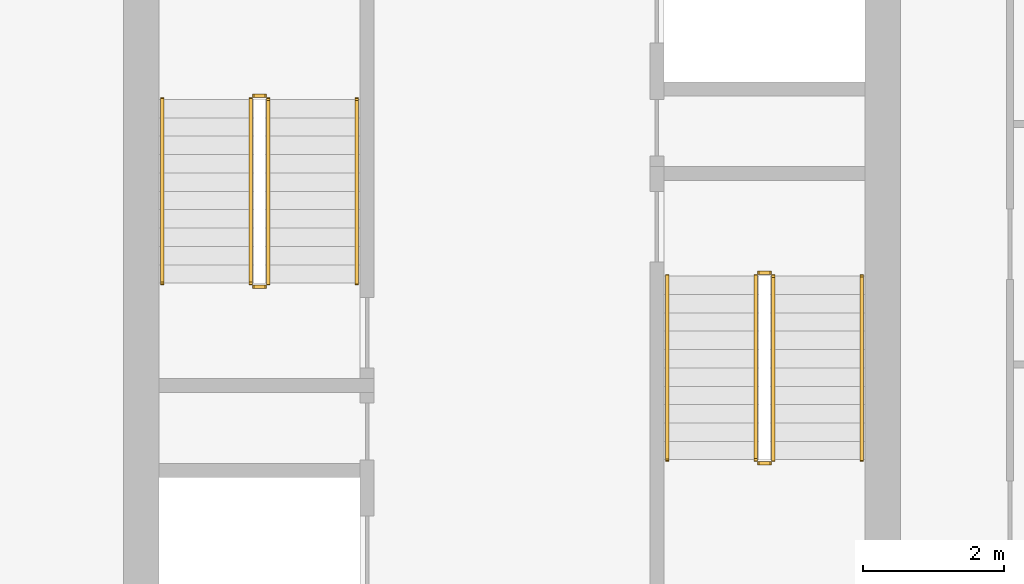
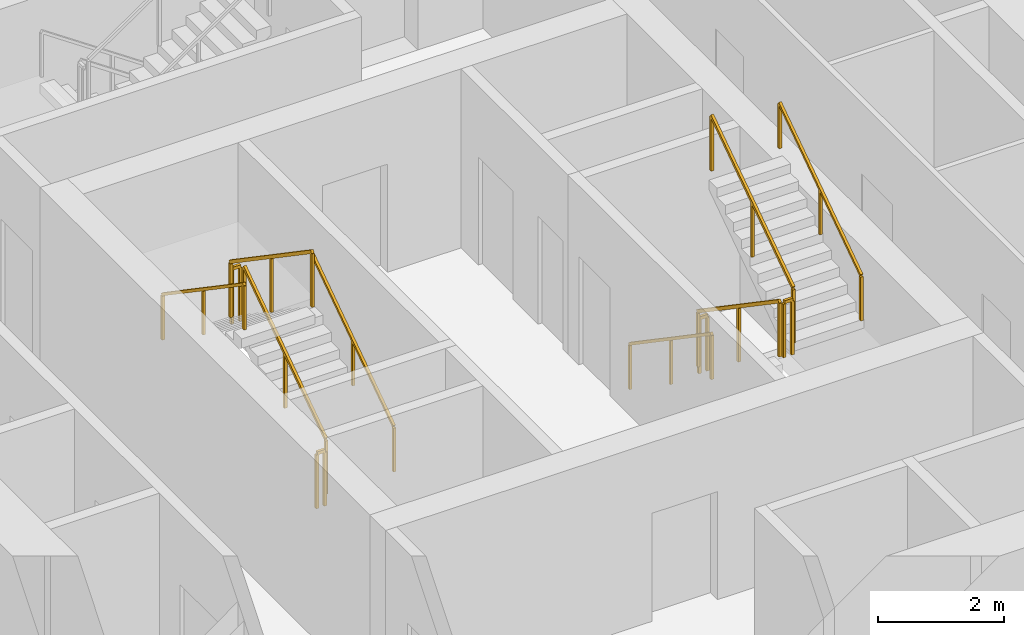
# One storey, part 13 of 16: 12 railings.
"""IFC4 building model written with IfcOpenShell, lengths in metres."""

from ifc_helpers import new_model, si_unit, direction, frame, origin, origin_2d, place, context, subcontext, project, spatial, rectangle, extrude, material, type_object, element, save


model = new_model("IFC4")

# Units and contexts
model_context = context("Model", 3, precision=1e-05, world=origin(), true_north=direction((0.0, 1.0)))
body_context = subcontext(model_context, "Body", "Model", "MODEL_VIEW")
ifc_project = project(units=[si_unit("LENGTHUNIT", "METRE"), si_unit("AREAUNIT", "SQUARE_METRE"), si_unit("VOLUMEUNIT", "CUBIC_METRE"), si_unit("PLANEANGLEUNIT", "RADIAN"), si_unit("MASSUNIT", "GRAM", prefix="KILO")], contexts=[model_context])

# Site, building, storey
site_placement = place(None, origin())
site = spatial("IfcSite", under=ifc_project, at=site_placement, CompositionType="ELEMENT")
building_placement = place(site_placement, origin())
building = spatial("IfcBuilding", under=site, at=building_placement, Name="Khepri Terraces", CompositionType="ELEMENT")
storey_placement = place(building_placement, frame((0.0, 0.0, 79.199951171875)))
storey = spatial("IfcBuildingStorey", under=building, at=storey_placement, Name="L18", CompositionType="ELEMENT", Elevation=79.199951171875)

# Railings
ifc_material = material(Name="Stainless steel 316", Category="steel")
railing_type_1 = type_object("IfcRailingType", Name="RL-CORE-GUARD", PredefinedType="GUARDRAIL", material=ifc_material)
railing_1_placement = place(storey_placement, frame((-3.449951171875, -0.050048828125, 0.17724609375)))
element("IfcRailing", 1, at=railing_1_placement, inside=storey, type_object=railing_type_1, Name="L18 ST-1 stair guard 1", PredefinedType="GUARDRAIL", context=body_context, shape_type="SweptSolid", body=[
    extrude(rectangle(XDim=0.050048828125, YDim=0.06005859375, at=origin_2d()), frame((0.0, 0.0, 1.070068359375), z_axis=(0.0, 0.826240473404, 0.563317565952), x_axis=(-1.0, 0.0, 0.0)), (0.0, 0.0, 1.0), 3.14697265625),
    extrude(rectangle(XDim=0.050048828125, YDim=0.050048828125, at=origin_2d()), origin(), (0.0, 0.0, 1.0), 1.0400390625),
    extrude(rectangle(XDim=0.050048828125, YDim=0.050048828125, at=origin_2d()), frame((0.0, 1.300048828125, 0.88623046875)), (0.0, 0.0, 1.0), 1.0400390625),
    extrude(rectangle(XDim=0.050048828125, YDim=0.050048828125, at=origin_2d()), frame((0.0, 2.60009765625, 1.772705078125)), (0.0, 0.0, 1.0), 1.0400390625),
])
railing_2_placement = place(storey_placement, frame((-3.5, 2.60009765625, 1.949951171875)))
element("IfcRailing", 2, at=railing_2_placement, inside=storey, type_object=railing_type_1, Name="L18 ST-1 stair guard 2", PredefinedType="GUARDRAIL", context=body_context, shape_type="SweptSolid", body=[
    extrude(rectangle(XDim=0.050048828125, YDim=0.06005859375, at=origin_2d()), frame((0.0, 0.0, 1.070068359375), z_axis=(-1.0, 0.0, 0.0), x_axis=(0.0, -1.0, 0.0)), (0.0, 0.0, 1.0), 0.14990234375),
    extrude(rectangle(XDim=0.050048828125, YDim=0.050048828125, at=origin_2d()), origin(), (0.0, 0.0, 1.0), 1.0400390625),
    extrude(rectangle(XDim=0.050048828125, YDim=0.050048828125, at=origin_2d()), frame((-0.14990234375, 0.0, 0.0)), (0.0, 0.0, 1.0), 1.0400390625),
])
railing_3_placement = place(storey_placement, frame((-3.699951171875, 2.550048828125, 2.12744140625)))
element("IfcRailing", 3, at=railing_3_placement, inside=storey, type_object=railing_type_1, Name="L18 ST-1 stair guard 3", PredefinedType="GUARDRAIL", context=body_context, shape_type="SweptSolid", body=[
    extrude(rectangle(XDim=0.050048828125, YDim=0.06005859375, at=origin_2d()), frame((0.0, 0.0, 1.070068359375), z_axis=(0.0, -0.826240473404, 0.563317565952), x_axis=(1.0, 0.0, 0.0)), (0.0, 0.0, 1.0), 3.14697265625),
    extrude(rectangle(XDim=0.050048828125, YDim=0.050048828125, at=origin_2d()), origin(), (0.0, 0.0, 1.0), 1.0400390625),
    extrude(rectangle(XDim=0.050048828125, YDim=0.050048828125, at=origin_2d()), frame((0.0, -1.300048828125, 0.88623046875)), (0.0, 0.0, 1.0), 1.0400390625),
    extrude(rectangle(XDim=0.050048828125, YDim=0.050048828125, at=origin_2d()), frame((0.0, -2.60009765625, 1.772705078125)), (0.0, 0.0, 1.0), 1.0400390625),
])
railing_4_placement = place(storey_placement, frame((-3.5, -0.10009765625, 0.0)))
element("IfcRailing", 4, at=railing_4_placement, inside=storey, type_object=railing_type_1, Name="L18 ST-1 stair guard 4", PredefinedType="GUARDRAIL", context=body_context, shape_type="SweptSolid", body=[
    extrude(rectangle(XDim=0.050048828125, YDim=0.06005859375, at=origin_2d()), frame((0.0, 0.0, 1.070068359375), z_axis=(-1.0, 0.0, 0.0), x_axis=(0.0, -1.0, 0.0)), (0.0, 0.0, 1.0), 0.14990234375),
    extrude(rectangle(XDim=0.050048828125, YDim=0.050048828125, at=origin_2d()), origin(), (0.0, 0.0, 1.0), 1.0400390625),
    extrude(rectangle(XDim=0.050048828125, YDim=0.050048828125, at=origin_2d()), frame((-0.14990234375, 0.0, 0.0)), (0.0, 0.0, 1.0), 1.0400390625),
])
railing_5_placement = place(storey_placement, frame((3.449951171875, 0.050048828125, 0.17724609375)))
element("IfcRailing", 5, at=railing_5_placement, inside=storey, type_object=railing_type_1, Name="L18 ST-2 stair guard 1", PredefinedType="GUARDRAIL", context=body_context, shape_type="SweptSolid", body=[
    extrude(rectangle(XDim=0.050048828125, YDim=0.06005859375, at=origin_2d()), frame((0.0, 0.0, 1.070068359375), z_axis=(0.0, -0.826240473404, 0.563317565952), x_axis=(1.0, 0.0, 0.0)), (0.0, 0.0, 1.0), 3.14697265625),
    extrude(rectangle(XDim=0.050048828125, YDim=0.050048828125, at=origin_2d()), origin(), (0.0, 0.0, 1.0), 1.0400390625),
    extrude(rectangle(XDim=0.050048828125, YDim=0.050048828125, at=origin_2d()), frame((0.0, -1.300048828125, 0.88623046875)), (0.0, 0.0, 1.0), 1.0400390625),
    extrude(rectangle(XDim=0.050048828125, YDim=0.050048828125, at=origin_2d()), frame((0.0, -2.60009765625, 1.772705078125)), (0.0, 0.0, 1.0), 1.0400390625),
])
railing_6_placement = place(storey_placement, frame((3.5, -2.60009765625, 1.949951171875)))
element("IfcRailing", 6, at=railing_6_placement, inside=storey, type_object=railing_type_1, Name="L18 ST-2 stair guard 2", PredefinedType="GUARDRAIL", context=body_context, shape_type="SweptSolid", body=[
    extrude(rectangle(XDim=0.050048828125, YDim=0.06005859375, at=origin_2d()), frame((0.0, 0.0, 1.070068359375), z_axis=(1.0, 0.0, 0.0), x_axis=(0.0, 1.0, 0.0)), (0.0, 0.0, 1.0), 0.14990234375),
    extrude(rectangle(XDim=0.050048828125, YDim=0.050048828125, at=origin_2d()), origin(), (0.0, 0.0, 1.0), 1.0400390625),
    extrude(rectangle(XDim=0.050048828125, YDim=0.050048828125, at=origin_2d()), frame((0.14990234375, 0.0, 0.0)), (0.0, 0.0, 1.0), 1.0400390625),
])
railing_7_placement = place(storey_placement, frame((3.699951171875, -2.550048828125, 2.12744140625)))
element("IfcRailing", 7, at=railing_7_placement, inside=storey, type_object=railing_type_1, Name="L18 ST-2 stair guard 3", PredefinedType="GUARDRAIL", context=body_context, shape_type="SweptSolid", body=[
    extrude(rectangle(XDim=0.050048828125, YDim=0.06005859375, at=origin_2d()), frame((0.0, 0.0, 1.070068359375), z_axis=(0.0, 0.826240473404, 0.563317565952), x_axis=(-1.0, 0.0, 0.0)), (0.0, 0.0, 1.0), 3.14697265625),
    extrude(rectangle(XDim=0.050048828125, YDim=0.050048828125, at=origin_2d()), origin(), (0.0, 0.0, 1.0), 1.0400390625),
    extrude(rectangle(XDim=0.050048828125, YDim=0.050048828125, at=origin_2d()), frame((0.0, 1.300048828125, 0.88623046875)), (0.0, 0.0, 1.0), 1.0400390625),
    extrude(rectangle(XDim=0.050048828125, YDim=0.050048828125, at=origin_2d()), frame((0.0, 2.60009765625, 1.772705078125)), (0.0, 0.0, 1.0), 1.0400390625),
])
railing_8_placement = place(storey_placement, frame((3.5, 0.10009765625, 0.0)))
element("IfcRailing", 8, at=railing_8_placement, inside=storey, type_object=railing_type_1, Name="L18 ST-2 stair guard 4", PredefinedType="GUARDRAIL", context=body_context, shape_type="SweptSolid", body=[
    extrude(rectangle(XDim=0.050048828125, YDim=0.06005859375, at=origin_2d()), frame((0.0, 0.0, 1.070068359375), z_axis=(1.0, 0.0, 0.0), x_axis=(0.0, 1.0, 0.0)), (0.0, 0.0, 1.0), 0.14990234375),
    extrude(rectangle(XDim=0.050048828125, YDim=0.050048828125, at=origin_2d()), origin(), (0.0, 0.0, 1.0), 1.0400390625),
    extrude(rectangle(XDim=0.050048828125, YDim=0.050048828125, at=origin_2d()), frame((0.14990234375, 0.0, 0.0)), (0.0, 0.0, 1.0), 1.0400390625),
])
railing_type_2 = type_object("IfcRailingType", Name="RL-CORE-HANDRAIL", PredefinedType="HANDRAIL", material=ifc_material)
railing_9_placement = place(storey_placement, frame((-2.199951171875, -0.050048828125, 0.17724609375)))
element("IfcRailing", 9, at=railing_9_placement, inside=storey, type_object=railing_type_2, Name="L18 ST-1 stair handrail 1", PredefinedType="HANDRAIL", context=body_context, shape_type="SweptSolid", body=[
    extrude(rectangle(XDim=0.050048828125, YDim=0.050048828125, at=origin_2d()), frame((0.0, 0.0, 0.875), z_axis=(0.0, 0.826240473404, 0.563317565952), x_axis=(-1.0, 0.0, 0.0)), (0.0, 0.0, 1.0), 3.14697265625),
    extrude(rectangle(XDim=0.050048828125, YDim=0.050048828125, at=origin_2d()), origin(), (0.0, 0.0, 1.0), 0.849853515625),
    extrude(rectangle(XDim=0.050048828125, YDim=0.050048828125, at=origin_2d()), frame((0.0, 1.300048828125, 0.88623046875)), (0.0, 0.0, 1.0), 0.849853515625),
    extrude(rectangle(XDim=0.050048828125, YDim=0.050048828125, at=origin_2d()), frame((0.0, 2.60009765625, 1.772705078125)), (0.0, 0.0, 1.0), 0.849853515625),
])
for number, where, name in (
    (10, (-4.949951171875, 2.550048828125, 2.12744140625), "L18 ST-1 stair handrail 2"),
    (11, (2.199951171875, 0.050048828125, 0.17724609375), "L18 ST-2 stair handrail 1"),
):
    element("IfcRailing", number, at=place(storey_placement, frame(where)), inside=storey, type_object=railing_type_2, Name=name, PredefinedType="HANDRAIL", context=body_context, shape_type="SweptSolid", body=[
        extrude(rectangle(XDim=0.050048828125, YDim=0.050048828125, at=origin_2d()), frame((0.0, 0.0, 0.875), z_axis=(0.0, -0.826240473404, 0.563317565952), x_axis=(1.0, 0.0, 0.0)), (0.0, 0.0, 1.0), 3.14697265625),
        extrude(rectangle(XDim=0.050048828125, YDim=0.050048828125, at=origin_2d()), origin(), (0.0, 0.0, 1.0), 0.849853515625),
        extrude(rectangle(XDim=0.050048828125, YDim=0.050048828125, at=origin_2d()), frame((0.0, -1.300048828125, 0.88623046875)), (0.0, 0.0, 1.0), 0.849853515625),
        extrude(rectangle(XDim=0.050048828125, YDim=0.050048828125, at=origin_2d()), frame((0.0, -2.60009765625, 1.772705078125)), (0.0, 0.0, 1.0), 0.849853515625),
    ])
railing_10_placement = place(storey_placement, frame((4.949951171875, -2.550048828125, 2.12744140625)))
element("IfcRailing", 12, at=railing_10_placement, inside=storey, type_object=railing_type_2, Name="L18 ST-2 stair handrail 2", PredefinedType="HANDRAIL", context=body_context, shape_type="SweptSolid", body=[
    extrude(rectangle(XDim=0.050048828125, YDim=0.050048828125, at=origin_2d()), frame((0.0, 0.0, 0.875), z_axis=(0.0, 0.826240473404, 0.563317565952), x_axis=(-1.0, 0.0, 0.0)), (0.0, 0.0, 1.0), 3.14697265625),
    extrude(rectangle(XDim=0.050048828125, YDim=0.050048828125, at=origin_2d()), origin(), (0.0, 0.0, 1.0), 0.849853515625),
    extrude(rectangle(XDim=0.050048828125, YDim=0.050048828125, at=origin_2d()), frame((0.0, 1.300048828125, 0.88623046875)), (0.0, 0.0, 1.0), 0.849853515625),
    extrude(rectangle(XDim=0.050048828125, YDim=0.050048828125, at=origin_2d()), frame((0.0, 2.60009765625, 1.772705078125)), (0.0, 0.0, 1.0), 0.849853515625),
])

save(model, "model.ifc")
